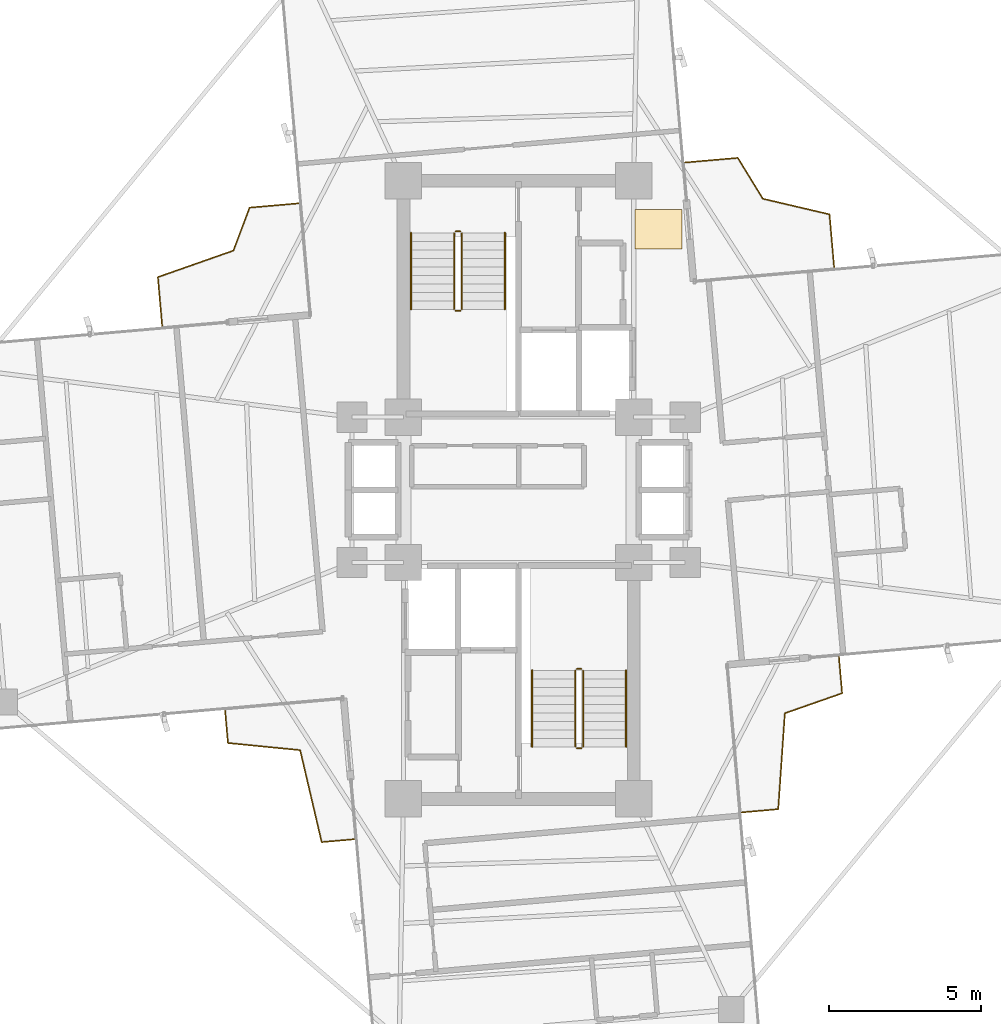
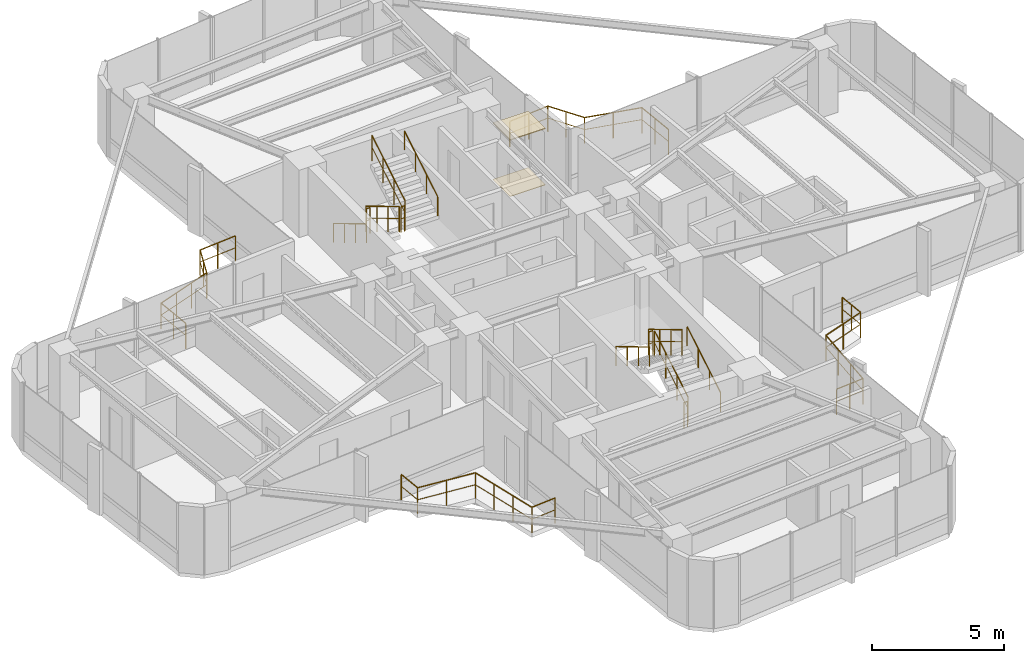
# One storey, part 24 of 24: 16 railings, 2 coverings.
"""IFC4 building model written with IfcOpenShell, lengths in metres."""

import ifcopenshell
import ifcopenshell.guid

model = None  # the IFC model being written
_history = None  # IfcOwnerHistory: only IFC2X3 demands one
_inside = {}  # id of a spatial element -> (the spatial element, [elements in it])
_under = {}  # id of a project, library or spatial element -> (it, [spatial elements below it])
_declared = {}  # id of a project -> (the project, [libraries it declares])
_typed = {}  # id of a type object -> (the type object, [elements of that type])
_made_of = {}  # id of a material, layer set ... -> (it, [elements and type objects made of it])


def new_model(schema):
    """Start an empty IFC model of exactly this schema.

    Asked for "IFC4X3", IfcOpenShell would pick the latest addendum, in which some entities
    have other attributes; the version numbers below select the first issue.
    IFC2X3 requires an IfcOwnerHistory on every rooted entity: one is made here for all.
    """
    global model, _history
    if schema == "IFC4X3":
        model = ifcopenshell.file(schema_version=(4, 3, 0, 0))
    else:
        model = ifcopenshell.file(schema=schema)
    _inside.clear()
    _under.clear()
    _declared.clear()
    _typed.clear()
    _made_of.clear()
    _history = None
    if model.schema == "IFC2X3":
        org = make("IfcOrganization", Name="unknown")
        user = make(
            "IfcPersonAndOrganization",
            ThePerson=make("IfcPerson", FamilyName="unknown"),
            TheOrganization=org,
        )
        app = make(
            "IfcApplication",
            ApplicationDeveloper=org,
            Version="unknown",
            ApplicationFullName="unknown",
            ApplicationIdentifier="unknown",
        )
        _history = make(
            "IfcOwnerHistory",
            OwningUser=user,
            OwningApplication=app,
            ChangeAction="ADDED",
            CreationDate=0,
        )
    return model


def make(cls, **values):
    """One entity of the class cls with the attributes given. An attribute that is None is left unset."""
    return model.create_entity(
        cls, **{name: value for name, value in values.items() if value is not None}
    )


def rooted(cls, **values):
    """An entity with a GlobalId (a new one), such as an element, a storey or a relation."""
    return make(cls, GlobalId=ifcopenshell.guid.new(), OwnerHistory=_history, **values)


def si_unit(unit_type, name, prefix=None):
    """IfcSIUnit, for example si_unit("LENGTHUNIT", "METRE", prefix="MILLI")."""
    return make("IfcSIUnit", UnitType=unit_type, Prefix=prefix, Name=name)


def assignment(units):
    """IfcUnitAssignment: the units of a project."""
    return None if units is None else make("IfcUnitAssignment", Units=units)


def point(xyz):
    """IfcCartesianPoint."""
    return None if xyz is None else make("IfcCartesianPoint", Coordinates=xyz)


def direction(xyz):
    """IfcDirection."""
    return None if xyz is None else make("IfcDirection", DirectionRatios=xyz)


def frame(location, z_axis=None, x_axis=None):
    """IfcAxis2Placement3D, a coordinate frame: its origin and axes. An axis left out is left unset."""
    return make(
        "IfcAxis2Placement3D",
        Location=point(location),
        Axis=direction(z_axis),
        RefDirection=direction(x_axis),
    )


def frame_2d(location, x_axis=None):
    """IfcAxis2Placement2D, a coordinate frame in the plane: its origin and x axis."""
    return make(
        "IfcAxis2Placement2D", Location=point(location), RefDirection=direction(x_axis)
    )


def origin():
    """The frame at (0, 0, 0) with its axes left unset."""
    return frame((0.0, 0.0, 0.0))


def origin_2d():
    """The frame at (0, 0) in the plane with its x axis left unset."""
    return frame_2d((0.0, 0.0))


def place(relative_to, where):
    """IfcLocalPlacement: puts the frame where relative to a parent placement (None: the world)."""
    return make(
        "IfcLocalPlacement", PlacementRelTo=relative_to, RelativePlacement=where
    )


def context(
    kind, dimensions, precision=None, world=None, true_north=None, identifier=None
):
    """IfcGeometricRepresentationContext, for example the 3D "Model" context."""
    return make(
        "IfcGeometricRepresentationContext",
        ContextIdentifier=identifier,
        ContextType=kind,
        CoordinateSpaceDimension=dimensions,
        Precision=precision,
        WorldCoordinateSystem=world,
        TrueNorth=true_north,
    )


def subcontext(parent, identifier, kind, view, scale=None):
    """IfcGeometricRepresentationSubContext, for example "Body" below "Model"."""
    return make(
        "IfcGeometricRepresentationSubContext",
        ContextIdentifier=identifier,
        ContextType=kind,
        ParentContext=parent,
        TargetScale=scale,
        TargetView=view,
    )


def project(units=None, contexts=None):
    """IfcProject with its units and contexts."""
    return rooted(
        "IfcProject",
        Name="project",
        RepresentationContexts=contexts,
        UnitsInContext=assignment(units),
    )


def spatial(cls, under=None, at=None, **own):
    """A site, building, storey or space (cls), placed at a placement, below another one or the project."""
    s = rooted(cls, ObjectPlacement=at, **own)
    if under is not None:
        _under.setdefault(under.id(), (under, []))[1].append(s)
    return s


def polyline(points):
    """IfcPolyline through the points."""
    return make("IfcPolyline", Points=[point(p) for p in points])


def profile(cls, at=None, kind="AREA", **sizes):
    """A parametric profile (cls). Its sizes go by their IFC names, for example OverallWidth=200.0."""
    return make(cls, ProfileType=kind, Position=at, **sizes)


def circle(**sizes):
    """IfcCircleProfileDef."""
    return profile("IfcCircleProfileDef", **sizes)


def outline(outer, holes=None, kind="AREA"):
    """IfcArbitraryClosedProfileDef: a profile drawn as a closed curve; with holes, ...WithVoids."""
    if holes is None:
        return make("IfcArbitraryClosedProfileDef", ProfileType=kind, OuterCurve=outer)
    return make(
        "IfcArbitraryProfileDefWithVoids",
        ProfileType=kind,
        OuterCurve=outer,
        InnerCurves=holes,
    )


def extrude(swept, where, along, depth):
    """IfcExtrudedAreaSolid: the profile swept, set in the frame where, extruded along a direction by depth."""
    return make(
        "IfcExtrudedAreaSolid",
        SweptArea=swept,
        Position=where,
        ExtrudedDirection=direction(along),
        Depth=depth,
    )


def shape(context_of_items, identifier, shape_type, items):
    """IfcShapeRepresentation: the items that make up one representation, for example the "Body"."""
    return make(
        "IfcShapeRepresentation",
        ContextOfItems=context_of_items,
        RepresentationIdentifier=identifier,
        RepresentationType=shape_type,
        Items=items,
    )


def material(Name=None, Category=None):
    """IfcMaterial."""
    return make("IfcMaterial", Name=Name, Category=Category)


def layer(
    of_material, thickness, ventilated=None, Name=None, Category=None, Priority=None
):
    """IfcMaterialLayer: one layer of a wall or slab, of a material (None: an air gap)."""
    return make(
        "IfcMaterialLayer",
        Material=of_material,
        LayerThickness=thickness,
        IsVentilated=ventilated,
        Name=Name,
        Category=Category,
        Priority=Priority,
    )


def layer_set(layers, Name=None):
    """IfcMaterialLayerSet."""
    return make("IfcMaterialLayerSet", MaterialLayers=layers, LayerSetName=Name)


def made_of(thing, what):
    """Note that an element or type object is made of a material, layer set ...; save() writes the relation."""
    if what is not None:
        _made_of.setdefault(what.id(), (what, []))[1].append(thing)
    return thing


def type_object(cls, material=None, **own):
    """A type object (cls), such as IfcWallType, which elements share."""
    return made_of(rooted(cls, **own), material)


def element(
    cls,
    number,
    at=None,
    inside=None,
    cuts=None,
    type_object=None,
    material=None,
    context=None,
    identifier="Body",
    shape_type=None,
    held_by="IfcProductDefinitionShape",
    body=None,
    shapes=None,
    **own,
):
    """One element of the class cls, such as IfcWall. Its Tag is "e" and its number.

    at: its placement. inside: the storey or other place that contains it. cuts: it is an
    opening in that element (IfcRelVoidsElement). A single representation is given by context,
    identifier, shape_type and body (its items); several are given by shapes. held_by: the class
    of the entity that holds the representations. save() writes the other relations.
    """
    e = rooted(cls, Tag="e%d" % number, ObjectPlacement=at, **own)
    if body is not None:
        shapes = [shape(context, identifier, shape_type, body)]
    if shapes is not None:
        e.Representation = make(held_by, Representations=shapes)
    if inside is not None:
        _inside.setdefault(inside.id(), (inside, []))[1].append(e)
    if cuts is not None:
        rooted(
            "IfcRelVoidsElement", RelatingBuildingElement=cuts, RelatedOpeningElement=e
        )
    if type_object is not None:
        _typed.setdefault(type_object.id(), (type_object, []))[1].append(e)
    return made_of(e, material)


def aggregate(whole, parts):
    """IfcRelAggregates: a whole, such as a stair, and the parts it consists of."""
    return rooted("IfcRelAggregates", RelatingObject=whole, RelatedObjects=parts)


def save(model, path):
    """Write the relations noted so far, then the file.

    IfcRelAggregates (storeys below a building ...), IfcRelContainedInSpatialStructure (elements
    in a storey), IfcRelDefinesByType, IfcRelAssociatesMaterial and IfcRelDeclares: one each for
    every whole, place, type object, material and project.
    """
    for whole, parts in _under.values():
        aggregate(whole, parts)
    for where, things in _inside.values():
        rooted(
            "IfcRelContainedInSpatialStructure",
            RelatedElements=things,
            RelatingStructure=where,
        )
    for kind, things in _typed.values():
        rooted("IfcRelDefinesByType", RelatedObjects=things, RelatingType=kind)
    for what, things in _made_of.values():
        rooted("IfcRelAssociatesMaterial", RelatedObjects=things, RelatingMaterial=what)
    for by, libraries in _declared.values():
        rooted("IfcRelDeclares", RelatingContext=by, RelatedDefinitions=libraries)
    model.write(path)


model = new_model("IFC4")

# Units and contexts
model_context = context("Model", 3, precision=1e-05, world=origin(), true_north=direction((0.0, 1.0)))
body_context = subcontext(model_context, "Body", "Model", "MODEL_VIEW")
ifc_project = project(units=[si_unit("LENGTHUNIT", "METRE"), si_unit("AREAUNIT", "SQUARE_METRE"), si_unit("VOLUMEUNIT", "CUBIC_METRE"), si_unit("PLANEANGLEUNIT", "RADIAN"), si_unit("MASSUNIT", "GRAM", prefix="KILO")], contexts=[model_context])

# Site, building, storey
site_placement = place(None, origin())
site = spatial("IfcSite", under=ifc_project, at=site_placement, CompositionType="ELEMENT")
building_placement = place(site_placement, origin())
building = spatial("IfcBuilding", under=site, at=building_placement, Name="Sahyath Konkavel Grand Hotel", CompositionType="ELEMENT")
storey_placement = place(building_placement, frame((0.0, 0.0, 147.25)))
storey = spatial("IfcBuildingStorey", under=building, at=storey_placement, Name="L40", CompositionType="ELEMENT", Elevation=147.25)

# Coverings
ifc_material_1 = material(Name="Perforated Acoustic Gypsum and Teak Baffle Ceiling")
ifc_layer_1 = layer(ifc_material_1, 0.044921875)
ifc_layer_set_1 = layer_set([ifc_layer_1], Name="Perforated Acoustic Gypsum and Teak Baffle Ceiling")
covering_type_1 = type_object("IfcCoveringType", Name="COV-ACOUSTIC-CLG", PredefinedType="CEILING", material=ifc_layer_set_1)
covering_1_placement = place(storey_placement, frame((0.0, 0.0, 2.590087890625)))
element("IfcCovering", 1, at=covering_1_placement, inside=storey, type_object=covering_type_1, Name="L40 Core Vestibule Acoustic Ceiling", PredefinedType="CEILING", context=body_context, shape_type="SweptSolid", body=[
    extrude(outline(polyline([(3.85009765625, 7.949951171875), (5.39990234375, 7.949951171875), (5.39990234375, 9.25), (3.85009765625, 9.25), (3.85009765625, 7.949951171875)])), origin(), (0.0, 0.0, 1.0), 0.039794921875),
])
ifc_material_2 = material(Name="Polished Konkan Aggregate Terrazzo Flooring")
ifc_layer_2 = layer(ifc_material_2, 0.02001953125)
ifc_layer_set_2 = layer_set([ifc_layer_2], Name="Polished Konkan Aggregate Terrazzo Flooring")
covering_type_2 = type_object("IfcCoveringType", Name="COV-TERRAZZO", PredefinedType="FLOORING", material=ifc_layer_set_2)
covering_2_placement = place(storey_placement, origin())
element("IfcCovering", 2, at=covering_2_placement, inside=storey, type_object=covering_type_2, Name="L40 Core Vestibule Terrazzo Flooring", PredefinedType="FLOORING", context=body_context, shape_type="SweptSolid", body=[
    extrude(outline(polyline([(3.85009765625, 7.949951171875), (5.39990234375, 7.949951171875), (5.39990234375, 9.25), (3.85009765625, 9.25), (3.85009765625, 7.949951171875)])), origin(), (0.0, 0.0, 1.0), 0.02001953125),
])

# Railings
ifc_material_3 = material(Name="Anodised Bronze Aluminium", Category="aluminium")
railing_type_1 = type_object("IfcRailingType", Name="RLG-BALC-1200", PredefinedType="GUARDRAIL", material=ifc_material_3)
railing_1_placement = place(storey_placement, frame((10.415283203125, 7.345703125, 0.0)))
element("IfcRailing", 3, at=railing_1_placement, inside=storey, type_object=railing_type_1, Name="L40 Winter-Garden Guard NE", PredefinedType="GUARDRAIL", context=body_context, shape_type="SweptSolid", body=[
    extrude(circle(Radius=0.02392578125, at=origin_2d()), frame((-0.000244140625, 0.001953125, 1.17578125), z_axis=(-0.087008070735, 0.99620760669, 0.0), x_axis=(-0.99620760669, -0.087008070735, 0.0)), (0.0, 0.0, 1.0), 1.749755859375),
    extrude(circle(Radius=0.01416015625, at=origin_2d()), frame((-0.000244140625, 0.001953125, 0.6240234375), z_axis=(-0.087008070735, 0.99620760669, 0.0), x_axis=(-0.99620760669, -0.087008070735, 0.0)), (0.0, 0.0, 1.0), 1.749755859375),
    extrude(circle(Radius=0.02392578125, at=origin_2d()), frame((-0.154541015625, 1.74755859375, 1.17578125), z_axis=(-0.97365042542, 0.228045717082, 0.0), x_axis=(-0.228045717082, -0.97365042542, 0.0)), (0.0, 0.0, 1.0), 2.256103515625),
    extrude(circle(Radius=0.01416015625, at=origin_2d()), frame((-0.154541015625, 1.74755859375, 0.6240234375), z_axis=(-0.97365042542, 0.228045717082, 0.0), x_axis=(-0.228045717082, -0.97365042542, 0.0)), (0.0, 0.0, 1.0), 2.256103515625),
    extrude(circle(Radius=0.02392578125, at=origin_2d()), frame((-2.35400390625, 2.26416015625, 1.17578125), z_axis=(-0.522399102584, 0.852701106848, 0.0), x_axis=(-0.852701106848, -0.522399102584, 0.0)), (0.0, 0.0, 1.0), 1.5771484375),
    extrude(circle(Radius=0.01416015625, at=origin_2d()), frame((-2.35400390625, 2.26416015625, 0.6240234375), z_axis=(-0.522399102584, 0.852701106848, 0.0), x_axis=(-0.852701106848, -0.522399102584, 0.0)), (0.0, 0.0, 1.0), 1.5771484375),
    extrude(circle(Radius=0.02392578125, at=origin_2d()), frame((-3.180908203125, 3.6103515625, 1.17578125), z_axis=(-0.996195530545, -0.087146227239, 0.0), x_axis=(0.087146227239, -0.996195530545, 0.0)), (0.0, 0.0, 1.0), 1.749755859375),
    extrude(circle(Radius=0.01416015625, at=origin_2d()), frame((-3.180908203125, 3.6103515625, 0.6240234375), z_axis=(-0.996195530545, -0.087146227239, 0.0), x_axis=(0.087146227239, -0.996195530545, 0.0)), (0.0, 0.0, 1.0), 1.749755859375),
    extrude(circle(Radius=0.02099609375, at=origin_2d()), origin(), (0.0, 0.0, 1.0), 1.15185546875),
    extrude(circle(Radius=0.02099609375, at=origin_2d()), frame((-0.076171875, 0.87353515625, 0.0)), (0.0, 0.0, 1.0), 1.15185546875),
    extrude(circle(Radius=0.02099609375, at=origin_2d()), frame((-0.152587890625, 1.7470703125, 0.0)), (0.0, 0.0, 1.0), 1.15185546875),
    extrude(circle(Radius=0.02099609375, at=origin_2d()), frame((-1.2529296875, 2.0048828125, 0.0)), (0.0, 0.0, 1.0), 1.15185546875),
    extrude(circle(Radius=0.02099609375, at=origin_2d()), frame((-2.35302734375, 2.262451171875, 0.0)), (0.0, 0.0, 1.0), 1.15185546875),
    extrude(circle(Radius=0.02099609375, at=origin_2d()), frame((-2.76611328125, 2.9365234375, 0.0)), (0.0, 0.0, 1.0), 1.15185546875),
    extrude(circle(Radius=0.02099609375, at=origin_2d()), frame((-3.178955078125, 3.610595703125, 0.0)), (0.0, 0.0, 1.0), 1.15185546875),
    extrude(circle(Radius=0.02099609375, at=origin_2d()), frame((-4.052490234375, 3.5341796875, 0.0)), (0.0, 0.0, 1.0), 1.15185546875),
    extrude(circle(Radius=0.02099609375, at=origin_2d()), frame((-4.926025390625, 3.457763671875, 0.0)), (0.0, 0.0, 1.0), 1.15185546875),
])
railing_2_placement = place(storey_placement, frame((-7.26171875, 9.4560546875, 0.0)))
element("IfcRailing", 4, at=railing_2_placement, inside=storey, type_object=railing_type_1, Name="L40 Winter-Garden Guard NW", PredefinedType="GUARDRAIL", context=body_context, shape_type="SweptSolid", body=[
    extrude(circle(Radius=0.02392578125, at=origin_2d()), frame((-0.001953125, -0.000244140625, 1.17578125), z_axis=(-0.996199267375, -0.08710349982, 0.0), x_axis=(0.08710349982, -0.996199267375, 0.0)), (0.0, 0.0, 1.0), 1.618896484375),
    extrude(circle(Radius=0.01416015625, at=origin_2d()), frame((-0.001953125, -0.000244140625, 0.6240234375), z_axis=(-0.996199267375, -0.08710349982, 0.0), x_axis=(0.08710349982, -0.996199267375, 0.0)), (0.0, 0.0, 1.0), 1.618896484375),
    extrude(circle(Radius=0.02392578125, at=origin_2d()), frame((-1.617431640625, -0.143310546875, 1.17578125), z_axis=(-0.351688601688, -0.936117047939, 0.0), x_axis=(0.936117047939, -0.351688601688, 0.0)), (0.0, 0.0, 1.0), 1.5107421875),
    extrude(circle(Radius=0.01416015625, at=origin_2d()), frame((-1.617431640625, -0.143310546875, 0.6240234375), z_axis=(-0.351688601688, -0.936117047939, 0.0), x_axis=(0.936117047939, -0.351688601688, 0.0)), (0.0, 0.0, 1.0), 1.5107421875),
    extrude(circle(Radius=0.02392578125, at=origin_2d()), frame((-2.1513671875, -1.56005859375, 1.17578125), z_axis=(-0.943575670802, -0.331156992181, 0.0), x_axis=(0.331156992181, -0.943575670802, 0.0)), (0.0, 0.0, 1.0), 2.63818359375),
    extrude(circle(Radius=0.01416015625, at=origin_2d()), frame((-2.1513671875, -1.56005859375, 0.6240234375), z_axis=(-0.943575670802, -0.331156992181, 0.0), x_axis=(0.331156992181, -0.943575670802, 0.0)), (0.0, 0.0, 1.0), 2.63818359375),
    extrude(circle(Radius=0.02392578125, at=origin_2d()), frame((-4.642333984375, -2.436279296875, 1.17578125), z_axis=(0.087278952921, -0.996183910921, 0.0), x_axis=(0.996183910921, 0.087278952921, 0.0)), (0.0, 0.0, 1.0), 1.618408203125),
    extrude(circle(Radius=0.01416015625, at=origin_2d()), frame((-4.642333984375, -2.436279296875, 0.6240234375), z_axis=(0.087278952921, -0.996183910921, 0.0), x_axis=(0.996183910921, 0.087278952921, 0.0)), (0.0, 0.0, 1.0), 1.618408203125),
    extrude(circle(Radius=0.02099609375, at=origin_2d()), origin(), (0.0, 0.0, 1.0), 1.15185546875),
    extrude(circle(Radius=0.02099609375, at=origin_2d()), frame((-0.808349609375, -0.07080078125, 0.0)), (0.0, 0.0, 1.0), 1.15185546875),
    extrude(circle(Radius=0.02099609375, at=origin_2d()), frame((-1.61669921875, -0.141357421875, 0.0)), (0.0, 0.0, 1.0), 1.15185546875),
    extrude(circle(Radius=0.02099609375, at=origin_2d()), frame((-1.883056640625, -0.850341796875, 0.0)), (0.0, 0.0, 1.0), 1.15185546875),
    extrude(circle(Radius=0.02099609375, at=origin_2d()), frame((-2.1494140625, -1.559326171875, 0.0)), (0.0, 0.0, 1.0), 1.15185546875),
    extrude(circle(Radius=0.02099609375, at=origin_2d()), frame((-2.98046875, -1.85107421875, 0.0)), (0.0, 0.0, 1.0), 1.15185546875),
    extrude(circle(Radius=0.02099609375, at=origin_2d()), frame((-3.8115234375, -2.142578125, 0.0)), (0.0, 0.0, 1.0), 1.15185546875),
    extrude(circle(Radius=0.02099609375, at=origin_2d()), frame((-4.642578125, -2.434326171875, 0.0)), (0.0, 0.0, 1.0), 1.15185546875),
    extrude(circle(Radius=0.02099609375, at=origin_2d()), frame((-4.57177734375, -3.242431640625, 0.0)), (0.0, 0.0, 1.0), 1.15185546875),
    extrude(circle(Radius=0.02099609375, at=origin_2d()), frame((-4.5009765625, -4.050537109375, 0.0)), (0.0, 0.0, 1.0), 1.15185546875),
])
railing_3_placement = place(storey_placement, frame((-9.686279296875, -7.281982421875, 0.0)))
element("IfcRailing", 5, at=railing_3_placement, inside=storey, type_object=railing_type_1, Name="L40 Winter-Garden Guard SW", PredefinedType="GUARDRAIL", context=body_context, shape_type="SweptSolid", body=[
    extrude(circle(Radius=0.02392578125, at=origin_2d()), frame((0.000244140625, -0.001953125, 1.17578125), z_axis=(0.087166950281, -0.996193717496, 0.0), x_axis=(0.996193717496, 0.087166950281, 0.0)), (0.0, 0.0, 1.0), 1.07421875),
    extrude(circle(Radius=0.01416015625, at=origin_2d()), frame((0.000244140625, -0.001953125, 0.6240234375), z_axis=(0.087166950281, -0.996193717496, 0.0), x_axis=(0.996193717496, 0.087166950281, 0.0)), (0.0, 0.0, 1.0), 1.07421875),
    extrude(circle(Radius=0.02392578125, at=origin_2d()), frame((0.095947265625, -1.074462890625, 1.17578125), z_axis=(0.995136640137, -0.098504149439, 0.0), x_axis=(0.098504149439, 0.995136640137, 0.0)), (0.0, 0.0, 1.0), 2.39013671875),
    extrude(circle(Radius=0.01416015625, at=origin_2d()), frame((0.095947265625, -1.074462890625, 0.6240234375), z_axis=(0.995136640137, -0.098504149439, 0.0), x_axis=(0.098504149439, 0.995136640137, 0.0)), (0.0, 0.0, 1.0), 2.39013671875),
    extrude(circle(Radius=0.02392578125, at=origin_2d()), frame((2.47705078125, -1.31201171875, 1.17578125), z_axis=(0.227799138148, -0.973708145524, 0.0), x_axis=(0.973708145524, 0.227799138148, 0.0)), (0.0, 0.0, 1.0), 3.112548828125),
    extrude(circle(Radius=0.01416015625, at=origin_2d()), frame((2.47705078125, -1.31201171875, 0.6240234375), z_axis=(0.227799138148, -0.973708145524, 0.0), x_axis=(0.973708145524, 0.227799138148, 0.0)), (0.0, 0.0, 1.0), 3.112548828125),
    extrude(circle(Radius=0.02392578125, at=origin_2d()), frame((3.1884765625, -4.344482421875, 1.17578125), z_axis=(0.996193717496, 0.087166950281, 0.0), x_axis=(-0.087166950281, 0.996193717496, 0.0)), (0.0, 0.0, 1.0), 1.07421875),
    extrude(circle(Radius=0.01416015625, at=origin_2d()), frame((3.1884765625, -4.344482421875, 0.6240234375), z_axis=(0.996193717496, 0.087166950281, 0.0), x_axis=(-0.087166950281, 0.996193717496, 0.0)), (0.0, 0.0, 1.0), 1.07421875),
    extrude(circle(Radius=0.02099609375, at=origin_2d()), origin(), (0.0, 0.0, 1.0), 1.15185546875),
    extrude(circle(Radius=0.02099609375, at=origin_2d()), frame((0.093994140625, -1.07421875, 0.0)), (0.0, 0.0, 1.0), 1.15185546875),
    extrude(circle(Radius=0.02099609375, at=origin_2d()), frame((1.28515625, -1.192138671875, 0.0)), (0.0, 0.0, 1.0), 1.15185546875),
    extrude(circle(Radius=0.02099609375, at=origin_2d()), frame((2.4765625, -1.31005859375, 0.0)), (0.0, 0.0, 1.0), 1.15185546875),
    extrude(circle(Radius=0.02099609375, at=origin_2d()), frame((2.713134765625, -2.321533203125, 0.0)), (0.0, 0.0, 1.0), 1.15185546875),
    extrude(circle(Radius=0.02099609375, at=origin_2d()), frame((2.949951171875, -3.333251953125, 0.0)), (0.0, 0.0, 1.0), 1.15185546875),
    extrude(circle(Radius=0.02099609375, at=origin_2d()), frame((3.1865234375, -4.3447265625, 0.0)), (0.0, 0.0, 1.0), 1.15185546875),
    extrude(circle(Radius=0.02099609375, at=origin_2d()), frame((4.2607421875, -4.250732421875, 0.0)), (0.0, 0.0, 1.0), 1.15185546875),
])
railing_4_placement = place(storey_placement, frame((7.365966796875, -10.6455078125, 0.0)))
element("IfcRailing", 6, at=railing_4_placement, inside=storey, type_object=railing_type_1, Name="L40 Winter-Garden Guard SE", PredefinedType="GUARDRAIL", context=body_context, shape_type="SweptSolid", body=[
    extrude(circle(Radius=0.02392578125, at=origin_2d()), frame((0.001953125, 0.000244140625, 1.17578125), z_axis=(0.996188894597, 0.087222051574, 0.0), x_axis=(-0.087222051574, 0.996188894597, 0.0)), (0.0, 0.0, 1.0), 1.205078125),
    extrude(circle(Radius=0.01416015625, at=origin_2d()), frame((0.001953125, 0.000244140625, 0.6240234375), z_axis=(0.996188894597, 0.087222051574, 0.0), x_axis=(-0.087222051574, 0.996188894597, 0.0)), (0.0, 0.0, 1.0), 1.205078125),
    extrude(circle(Radius=0.02392578125, at=origin_2d()), frame((1.204833984375, 0.107421875, 1.17578125), z_axis=(0.068949986541, 0.997620117758, 0.0), x_axis=(-0.997620117758, 0.068949986541, 0.0)), (0.0, 0.0, 1.0), 3.168701171875),
    extrude(circle(Radius=0.01416015625, at=origin_2d()), frame((1.204833984375, 0.107421875, 0.6240234375), z_axis=(0.068949986541, 0.997620117758, 0.0), x_axis=(-0.997620117758, 0.068949986541, 0.0)), (0.0, 0.0, 1.0), 3.168701171875),
    extrude(circle(Radius=0.02392578125, at=origin_2d()), frame((1.42529296875, 3.271240234375, 1.17578125), z_axis=(0.943921089736, 0.330171131918, 0.0), x_axis=(-0.330171131918, 0.943921089736, 0.0)), (0.0, 0.0, 1.0), 1.99755859375),
    extrude(circle(Radius=0.01416015625, at=origin_2d()), frame((1.42529296875, 3.271240234375, 0.6240234375), z_axis=(0.943921089736, 0.330171131918, 0.0), x_axis=(-0.330171131918, 0.943921089736, 0.0)), (0.0, 0.0, 1.0), 1.99755859375),
    extrude(circle(Radius=0.02392578125, at=origin_2d()), frame((3.3125, 3.933349609375, 1.17578125), z_axis=(-0.087021679402, 0.996206418025, 0.0), x_axis=(-0.996206418025, -0.087021679402, 0.0)), (0.0, 0.0, 1.0), 1.205078125),
    extrude(circle(Radius=0.01416015625, at=origin_2d()), frame((3.3125, 3.933349609375, 0.6240234375), z_axis=(-0.087021679402, 0.996206418025, 0.0), x_axis=(-0.996206418025, -0.087021679402, 0.0)), (0.0, 0.0, 1.0), 1.205078125),
    extrude(circle(Radius=0.02099609375, at=origin_2d()), origin(), (0.0, 0.0, 1.0), 1.15185546875),
    extrude(circle(Radius=0.02099609375, at=origin_2d()), frame((0.602294921875, 0.052734375, 0.0)), (0.0, 0.0, 1.0), 1.15185546875),
    extrude(circle(Radius=0.02099609375, at=origin_2d()), frame((1.20458984375, 0.10546875, 0.0)), (0.0, 0.0, 1.0), 1.15185546875),
    extrude(circle(Radius=0.02099609375, at=origin_2d()), frame((1.277587890625, 1.160400390625, 0.0)), (0.0, 0.0, 1.0), 1.15185546875),
    extrude(circle(Radius=0.02099609375, at=origin_2d()), frame((1.350341796875, 2.215576171875, 0.0)), (0.0, 0.0, 1.0), 1.15185546875),
    extrude(circle(Radius=0.02099609375, at=origin_2d()), frame((1.42333984375, 3.2705078125, 0.0)), (0.0, 0.0, 1.0), 1.15185546875),
    extrude(circle(Radius=0.02099609375, at=origin_2d()), frame((2.3681640625, 3.60107421875, 0.0)), (0.0, 0.0, 1.0), 1.15185546875),
    extrude(circle(Radius=0.02099609375, at=origin_2d()), frame((3.312744140625, 3.931396484375, 0.0)), (0.0, 0.0, 1.0), 1.15185546875),
    extrude(circle(Radius=0.02099609375, at=origin_2d()), frame((3.26025390625, 4.53369140625, 0.0)), (0.0, 0.0, 1.0), 1.15185546875),
    extrude(circle(Radius=0.02099609375, at=origin_2d()), frame((3.20751953125, 5.135986328125, 0.0)), (0.0, 0.0, 1.0), 1.15185546875),
])
ifc_material_4 = material(Name="Steel E350", Category="steel")
railing_type_2 = type_object("IfcRailingType", Name="RLG-STAIR-GRD", PredefinedType="GUARDRAIL", material=ifc_material_4)
railing_5_placement = place(storey_placement, frame((-2.1298828125, 8.47998046875, 0.16748046875)))
element("IfcRailing", 7, at=railing_5_placement, inside=storey, type_object=railing_type_2, Name="L40 ST-1 stair guard 1", PredefinedType="GUARDRAIL", context=body_context, shape_type="SweptSolid", body=[
    extrude(circle(Radius=0.02392578125, at=origin_2d()), frame((0.0, -0.001708984375, 1.177001953125), z_axis=(0.0, -0.858159760407, 0.513382728203), x_axis=(1.0, 0.0, 0.0)), (0.0, 0.0, 1.0), 2.9326171875),
    extrude(circle(Radius=0.01416015625, at=origin_2d()), frame((0.0, -0.001708984375, 0.625), z_axis=(0.0, -0.858159760407, 0.513382728203), x_axis=(1.0, 0.0, 0.0)), (0.0, 0.0, 1.0), 2.9326171875),
    extrude(circle(Radius=0.02099609375, at=origin_2d()), origin(), (0.0, 0.0, 1.0), 1.15185546875),
    extrude(circle(Radius=0.02099609375, at=origin_2d()), frame((0.0, -0.840087890625, 0.50244140625)), (0.0, 0.0, 1.0), 1.15185546875),
    extrude(circle(Radius=0.02099609375, at=origin_2d()), frame((0.0, -1.679931640625, 1.005126953125)), (0.0, 0.0, 1.0), 1.15185546875),
    extrude(circle(Radius=0.02099609375, at=origin_2d()), frame((0.0, -2.52001953125, 1.507568359375)), (0.0, 0.0, 1.0), 1.15185546875),
])
railing_6_placement = place(storey_placement, frame((-2.080078125, 5.909912109375, 1.675048828125)))
element("IfcRailing", 8, at=railing_6_placement, inside=storey, type_object=railing_type_2, Name="L40 ST-1 stair guard 2", PredefinedType="GUARDRAIL", context=body_context, shape_type="SweptSolid", body=[
    extrude(circle(Radius=0.02392578125, at=origin_2d()), frame((0.001953125, 0.0, 1.17578125), z_axis=(1.0, 0.0, 0.0), x_axis=(0.0, 1.0, 0.0)), (0.0, 0.0, 1.0), 0.15625),
    extrude(circle(Radius=0.01416015625, at=origin_2d()), frame((0.001953125, 0.0, 0.6240234375), z_axis=(1.0, 0.0, 0.0), x_axis=(0.0, 1.0, 0.0)), (0.0, 0.0, 1.0), 0.15625),
    extrude(circle(Radius=0.02099609375, at=origin_2d()), origin(), (0.0, 0.0, 1.0), 1.15185546875),
    extrude(circle(Radius=0.02099609375, at=origin_2d()), frame((0.16015625, 0.0, 0.0)), (0.0, 0.0, 1.0), 1.15185546875),
])
railing_7_placement = place(storey_placement, frame((-1.8701171875, 5.9599609375, 1.842529296875)))
element("IfcRailing", 9, at=railing_7_placement, inside=storey, type_object=railing_type_2, Name="L40 ST-1 stair guard 3", PredefinedType="GUARDRAIL", context=body_context, shape_type="SweptSolid", body=[
    extrude(circle(Radius=0.02392578125, at=origin_2d()), frame((0.0, 0.001708984375, 1.177001953125), z_axis=(0.0, 0.858159760407, 0.513382728203), x_axis=(-1.0, 0.0, 0.0)), (0.0, 0.0, 1.0), 2.9326171875),
    extrude(circle(Radius=0.01416015625, at=origin_2d()), frame((0.0, 0.001708984375, 0.625), z_axis=(0.0, 0.858159760407, 0.513382728203), x_axis=(-1.0, 0.0, 0.0)), (0.0, 0.0, 1.0), 2.9326171875),
    extrude(circle(Radius=0.02099609375, at=origin_2d()), origin(), (0.0, 0.0, 1.0), 1.15185546875),
    extrude(circle(Radius=0.02099609375, at=origin_2d()), frame((0.0, 0.840087890625, 0.50244140625)), (0.0, 0.0, 1.0), 1.15185546875),
    extrude(circle(Radius=0.02099609375, at=origin_2d()), frame((0.0, 1.679931640625, 1.005126953125)), (0.0, 0.0, 1.0), 1.15185546875),
    extrude(circle(Radius=0.02099609375, at=origin_2d()), frame((0.0, 2.52001953125, 1.507568359375)), (0.0, 0.0, 1.0), 1.15185546875),
])
railing_8_placement = place(storey_placement, frame((-2.080078125, 8.530029296875, 0.0)))
element("IfcRailing", 10, at=railing_8_placement, inside=storey, type_object=railing_type_2, Name="L40 ST-1 stair guard 4", PredefinedType="GUARDRAIL", context=body_context, shape_type="SweptSolid", body=[
    extrude(circle(Radius=0.02392578125, at=origin_2d()), frame((0.001953125, 0.0, 1.17578125), z_axis=(1.0, 0.0, 0.0), x_axis=(0.0, 1.0, 0.0)), (0.0, 0.0, 1.0), 0.15625),
    extrude(circle(Radius=0.01416015625, at=origin_2d()), frame((0.001953125, 0.0, 0.6240234375), z_axis=(1.0, 0.0, 0.0), x_axis=(0.0, 1.0, 0.0)), (0.0, 0.0, 1.0), 0.15625),
    extrude(circle(Radius=0.02099609375, at=origin_2d()), origin(), (0.0, 0.0, 1.0), 1.15185546875),
    extrude(circle(Radius=0.02099609375, at=origin_2d()), frame((0.16015625, 0.0, 0.0)), (0.0, 0.0, 1.0), 1.15185546875),
])
railing_9_placement = place(storey_placement, frame((2.1298828125, -8.47998046875, 0.16748046875)))
element("IfcRailing", 11, at=railing_9_placement, inside=storey, type_object=railing_type_2, Name="L40 ST-2 stair guard 1", PredefinedType="GUARDRAIL", context=body_context, shape_type="SweptSolid", body=[
    extrude(circle(Radius=0.02392578125, at=origin_2d()), frame((0.0, 0.001708984375, 1.177001953125), z_axis=(0.0, 0.858159760407, 0.513382728203), x_axis=(-1.0, 0.0, 0.0)), (0.0, 0.0, 1.0), 2.9326171875),
    extrude(circle(Radius=0.01416015625, at=origin_2d()), frame((0.0, 0.001708984375, 0.625), z_axis=(0.0, 0.858159760407, 0.513382728203), x_axis=(-1.0, 0.0, 0.0)), (0.0, 0.0, 1.0), 2.9326171875),
    extrude(circle(Radius=0.02099609375, at=origin_2d()), origin(), (0.0, 0.0, 1.0), 1.15185546875),
    extrude(circle(Radius=0.02099609375, at=origin_2d()), frame((0.0, 0.840087890625, 0.50244140625)), (0.0, 0.0, 1.0), 1.15185546875),
    extrude(circle(Radius=0.02099609375, at=origin_2d()), frame((0.0, 1.679931640625, 1.005126953125)), (0.0, 0.0, 1.0), 1.15185546875),
    extrude(circle(Radius=0.02099609375, at=origin_2d()), frame((0.0, 2.52001953125, 1.507568359375)), (0.0, 0.0, 1.0), 1.15185546875),
])
railing_10_placement = place(storey_placement, frame((2.080078125, -5.909912109375, 1.675048828125)))
element("IfcRailing", 12, at=railing_10_placement, inside=storey, type_object=railing_type_2, Name="L40 ST-2 stair guard 2", PredefinedType="GUARDRAIL", context=body_context, shape_type="SweptSolid", body=[
    extrude(circle(Radius=0.02392578125, at=origin_2d()), frame((-0.001953125, 0.0, 1.17578125), z_axis=(-1.0, 0.0, 0.0), x_axis=(0.0, -1.0, 0.0)), (0.0, 0.0, 1.0), 0.15625),
    extrude(circle(Radius=0.01416015625, at=origin_2d()), frame((-0.001953125, 0.0, 0.6240234375), z_axis=(-1.0, 0.0, 0.0), x_axis=(0.0, -1.0, 0.0)), (0.0, 0.0, 1.0), 0.15625),
    extrude(circle(Radius=0.02099609375, at=origin_2d()), origin(), (0.0, 0.0, 1.0), 1.15185546875),
    extrude(circle(Radius=0.02099609375, at=origin_2d()), frame((-0.16015625, 0.0, 0.0)), (0.0, 0.0, 1.0), 1.15185546875),
])
railing_11_placement = place(storey_placement, frame((1.8701171875, -5.9599609375, 1.842529296875)))
element("IfcRailing", 13, at=railing_11_placement, inside=storey, type_object=railing_type_2, Name="L40 ST-2 stair guard 3", PredefinedType="GUARDRAIL", context=body_context, shape_type="SweptSolid", body=[
    extrude(circle(Radius=0.02392578125, at=origin_2d()), frame((0.0, -0.001708984375, 1.177001953125), z_axis=(0.0, -0.858159760407, 0.513382728203), x_axis=(1.0, 0.0, 0.0)), (0.0, 0.0, 1.0), 2.9326171875),
    extrude(circle(Radius=0.01416015625, at=origin_2d()), frame((0.0, -0.001708984375, 0.625), z_axis=(0.0, -0.858159760407, 0.513382728203), x_axis=(1.0, 0.0, 0.0)), (0.0, 0.0, 1.0), 2.9326171875),
    extrude(circle(Radius=0.02099609375, at=origin_2d()), origin(), (0.0, 0.0, 1.0), 1.15185546875),
    extrude(circle(Radius=0.02099609375, at=origin_2d()), frame((0.0, -0.840087890625, 0.50244140625)), (0.0, 0.0, 1.0), 1.15185546875),
    extrude(circle(Radius=0.02099609375, at=origin_2d()), frame((0.0, -1.679931640625, 1.005126953125)), (0.0, 0.0, 1.0), 1.15185546875),
    extrude(circle(Radius=0.02099609375, at=origin_2d()), frame((0.0, -2.52001953125, 1.507568359375)), (0.0, 0.0, 1.0), 1.15185546875),
])
railing_12_placement = place(storey_placement, frame((2.080078125, -8.530029296875, 0.0)))
element("IfcRailing", 14, at=railing_12_placement, inside=storey, type_object=railing_type_2, Name="L40 ST-2 stair guard 4", PredefinedType="GUARDRAIL", context=body_context, shape_type="SweptSolid", body=[
    extrude(circle(Radius=0.02392578125, at=origin_2d()), frame((-0.001953125, 0.0, 1.17578125), z_axis=(-1.0, 0.0, 0.0), x_axis=(0.0, -1.0, 0.0)), (0.0, 0.0, 1.0), 0.15625),
    extrude(circle(Radius=0.01416015625, at=origin_2d()), frame((-0.001953125, 0.0, 0.6240234375), z_axis=(-1.0, 0.0, 0.0), x_axis=(0.0, -1.0, 0.0)), (0.0, 0.0, 1.0), 0.15625),
    extrude(circle(Radius=0.02099609375, at=origin_2d()), origin(), (0.0, 0.0, 1.0), 1.15185546875),
    extrude(circle(Radius=0.02099609375, at=origin_2d()), frame((-0.16015625, 0.0, 0.0)), (0.0, 0.0, 1.0), 1.15185546875),
])
railing_type_3 = type_object("IfcRailingType", Name="RLG-STAIR-HND", PredefinedType="HANDRAIL", material=ifc_material_3)
railing_13_placement = place(storey_placement, frame((-3.550048828125, 8.47998046875, 0.16748046875)))
element("IfcRailing", 15, at=railing_13_placement, inside=storey, type_object=railing_type_3, Name="L40 ST-1 stair handrail 1", PredefinedType="HANDRAIL", context=body_context, shape_type="SweptSolid", body=[
    extrude(circle(Radius=0.02392578125, at=origin_2d()), frame((0.0, -0.001708984375, 0.876953125), z_axis=(0.0, -0.858159760407, 0.513382728203), x_axis=(1.0, 0.0, 0.0)), (0.0, 0.0, 1.0), 2.9326171875),
    extrude(circle(Radius=0.02099609375, at=origin_2d()), origin(), (0.0, 0.0, 1.0), 0.851806640625),
    extrude(circle(Radius=0.02099609375, at=origin_2d()), frame((0.0, -0.840087890625, 0.50244140625)), (0.0, 0.0, 1.0), 0.851806640625),
    extrude(circle(Radius=0.02099609375, at=origin_2d()), frame((0.0, -1.679931640625, 1.005126953125)), (0.0, 0.0, 1.0), 0.851806640625),
    extrude(circle(Radius=0.02099609375, at=origin_2d()), frame((0.0, -2.52001953125, 1.507568359375)), (0.0, 0.0, 1.0), 0.851806640625),
])
for number, where, name in (
    (16, (-0.449951171875, 5.9599609375, 1.842529296875), "L40 ST-1 stair handrail 2"),
    (17, (3.550048828125, -8.47998046875, 0.16748046875), "L40 ST-2 stair handrail 1"),
):
    element("IfcRailing", number, at=place(storey_placement, frame(where)), inside=storey, type_object=railing_type_3, Name=name, PredefinedType="HANDRAIL", context=body_context, shape_type="SweptSolid", body=[
        extrude(circle(Radius=0.02392578125, at=origin_2d()), frame((0.0, 0.001708984375, 0.876953125), z_axis=(0.0, 0.858159760407, 0.513382728203), x_axis=(-1.0, 0.0, 0.0)), (0.0, 0.0, 1.0), 2.9326171875),
        extrude(circle(Radius=0.02099609375, at=origin_2d()), origin(), (0.0, 0.0, 1.0), 0.851806640625),
        extrude(circle(Radius=0.02099609375, at=origin_2d()), frame((0.0, 0.840087890625, 0.50244140625)), (0.0, 0.0, 1.0), 0.851806640625),
        extrude(circle(Radius=0.02099609375, at=origin_2d()), frame((0.0, 1.679931640625, 1.005126953125)), (0.0, 0.0, 1.0), 0.851806640625),
        extrude(circle(Radius=0.02099609375, at=origin_2d()), frame((0.0, 2.52001953125, 1.507568359375)), (0.0, 0.0, 1.0), 0.851806640625),
    ])
railing_14_placement = place(storey_placement, frame((0.449951171875, -5.9599609375, 1.842529296875)))
element("IfcRailing", 18, at=railing_14_placement, inside=storey, type_object=railing_type_3, Name="L40 ST-2 stair handrail 2", PredefinedType="HANDRAIL", context=body_context, shape_type="SweptSolid", body=[
    extrude(circle(Radius=0.02392578125, at=origin_2d()), frame((0.0, -0.001708984375, 0.876953125), z_axis=(0.0, -0.858159760407, 0.513382728203), x_axis=(1.0, 0.0, 0.0)), (0.0, 0.0, 1.0), 2.9326171875),
    extrude(circle(Radius=0.02099609375, at=origin_2d()), origin(), (0.0, 0.0, 1.0), 0.851806640625),
    extrude(circle(Radius=0.02099609375, at=origin_2d()), frame((0.0, -0.840087890625, 0.50244140625)), (0.0, 0.0, 1.0), 0.851806640625),
    extrude(circle(Radius=0.02099609375, at=origin_2d()), frame((0.0, -1.679931640625, 1.005126953125)), (0.0, 0.0, 1.0), 0.851806640625),
    extrude(circle(Radius=0.02099609375, at=origin_2d()), frame((0.0, -2.52001953125, 1.507568359375)), (0.0, 0.0, 1.0), 0.851806640625),
])

save(model, "model.ifc")
